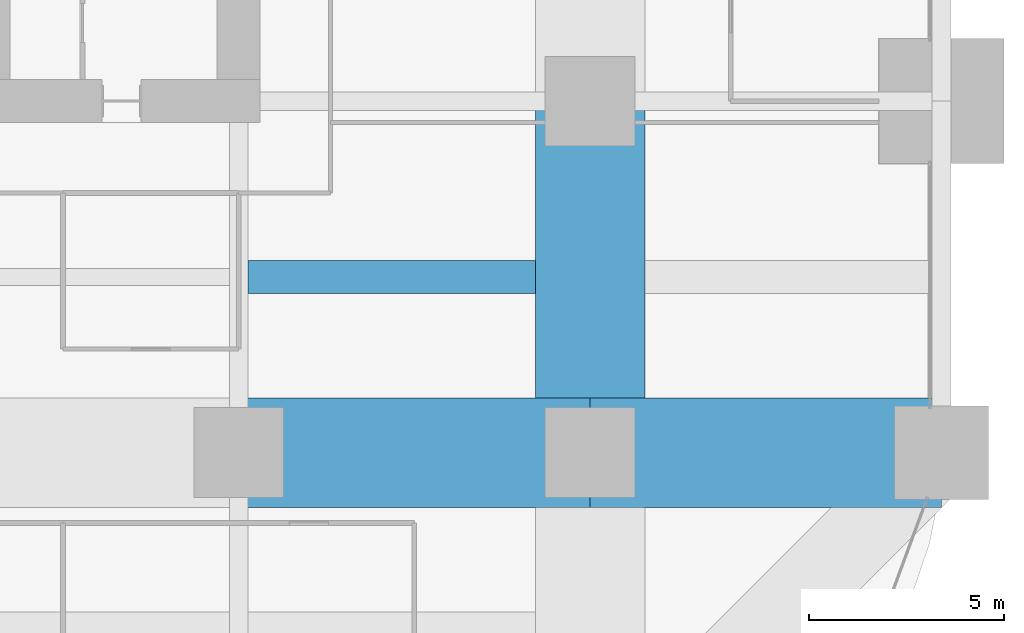
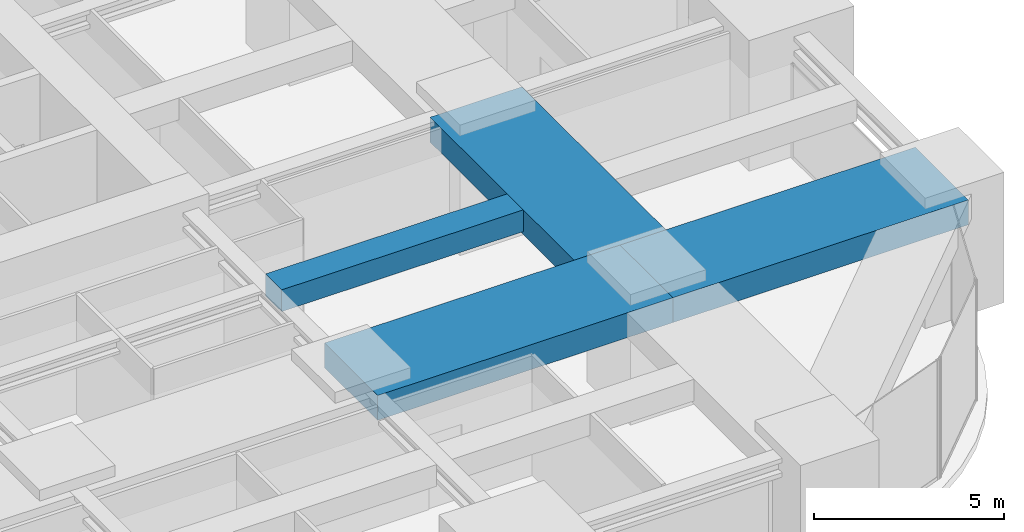
# One storey, part 16 of 42: 4 beams.
"""IFC4 building model written with IfcOpenShell, lengths in metres."""

from ifc_helpers import new_model, si_unit, direction, frame, origin, origin_2d, place, context, subcontext, project, spatial, rectangle, extrude, material, material_profile, profile_set, type_object, element, save


model = new_model("IFC4")

# Units and contexts
model_context = context("Model", 3, precision=1e-05, world=origin(), true_north=direction((0.0, 1.0)))
body_context = subcontext(model_context, "Body", "Model", "MODEL_VIEW")
ifc_project = project(units=[si_unit("LENGTHUNIT", "METRE"), si_unit("AREAUNIT", "SQUARE_METRE"), si_unit("VOLUMEUNIT", "CUBIC_METRE"), si_unit("PLANEANGLEUNIT", "RADIAN"), si_unit("MASSUNIT", "GRAM", prefix="KILO")], contexts=[model_context])

# Site, building, storey
site_placement = place(None, origin())
site = spatial("IfcSite", under=ifc_project, at=site_placement, CompositionType="ELEMENT")
building_placement = place(site_placement, origin())
building = spatial("IfcBuilding", under=site, at=building_placement, Name="Zorevar Civic Tower", CompositionType="ELEMENT")
storey_placement = place(building_placement, frame((0.0, 0.0, 75.800048828125)))
storey = spatial("IfcBuildingStorey", under=building, at=storey_placement, Name="L18", CompositionType="ELEMENT", Elevation=75.800048828125)

# Beams
ifc_material_1 = material(Name="Concrete C50/60", Category="concrete")
ifc_material_profile_1 = material_profile(ifc_material_1, rectangle(XDim=2.800048828125, YDim=0.800048828125, at=origin_2d()), Name="RC 2800x800")
ifc_profile_set_1 = profile_set([ifc_material_profile_1], Name="Concrete C50/60")
beam_type_1 = type_object("IfcBeamType", Name="Beam RC 2800x800", PredefinedType="BEAM", material=ifc_profile_set_1)
for number, where, z_axis, x_axis, name in (
    (1, (45.0, 9.0, 3.449951171875), (1.0, 0.0, 0.0), (0.0, 1.0, 0.0), "Girder L19"),
    (2, (54.0, 9.0, 3.449951171875), (1.0, 0.0, 0.0), (0.0, 1.0, 0.0), "Girder L19"),
    (3, (54.0, 9.0, 3.449951171875), (0.0, 1.0, 0.0), (-1.0, 0.0, 0.0), "Girder L19"),
):
    element("IfcBeam", number, at=place(storey_placement, frame(where, z_axis=z_axis, x_axis=x_axis)), inside=storey, type_object=beam_type_1, Name=name, PredefinedType="BEAM", context=body_context, shape_type="SweptSolid", body=[
        extrude(rectangle(XDim=2.800048828125, YDim=0.800048828125, at=origin_2d()), origin(), (0.0, 0.0, 1.0), 9.0),
    ])
ifc_material_2 = material(Name="Concrete C50/60", Category="concrete")
ifc_material_profile_2 = material_profile(ifc_material_2, rectangle(XDim=0.85009765625, YDim=0.699951171875, at=origin_2d()), Name="RC 850x700")
ifc_profile_set_2 = profile_set([ifc_material_profile_2], Name="Concrete C50/60")
beam_type_2 = type_object("IfcBeamType", Name="Beam RC 850x700", PredefinedType="BEAM", material=ifc_profile_set_2)
beam_placement = place(storey_placement, frame((45.238037109375, 13.5, 3.5), z_axis=(1.0, 0.0, 0.0), x_axis=(0.0, 1.0, 0.0)))
element("IfcBeam", 4, at=beam_placement, inside=storey, type_object=beam_type_2, Name="Secondary beam L19", PredefinedType="BEAM", context=body_context, shape_type="SweptSolid", body=[
    extrude(rectangle(XDim=0.85009765625, YDim=0.699951171875, at=origin_2d()), origin(), (0.0, 0.0, 1.0), 7.362060546875),
])

save(model, "model.ifc")
